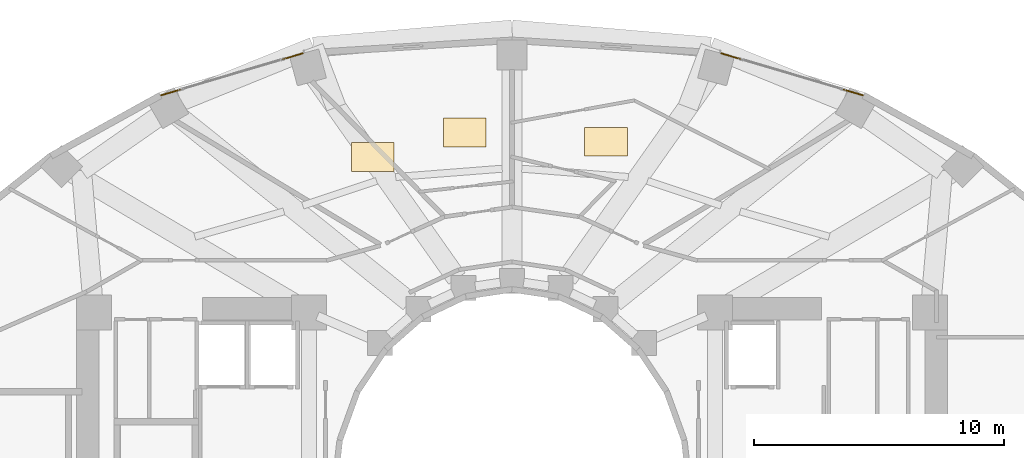
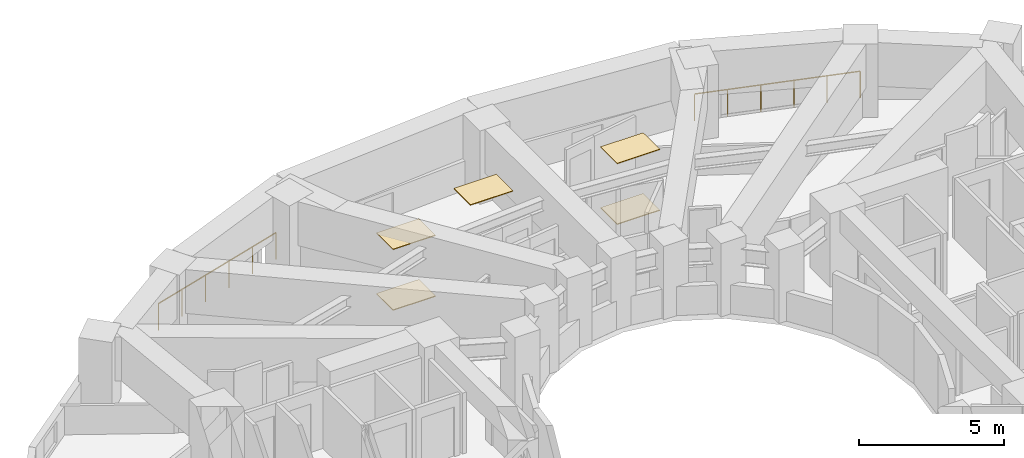
# One storey, part 16 of 16: 5 coverings, 2 railings.
"""IFC4 building model written with IfcOpenShell, lengths in metres."""

from ifc_helpers import new_model, si_unit, direction, frame, origin, origin_2d, place, context, subcontext, project, spatial, polyline, circle, outline, extrude, material, layer, layer_set, type_object, element, save


model = new_model("IFC4")

# Units and contexts
model_context = context("Model", 3, precision=1e-05, world=origin(), true_north=direction((0.0, 1.0)))
body_context = subcontext(model_context, "Body", "Model", "MODEL_VIEW")
ifc_project = project(units=[si_unit("LENGTHUNIT", "METRE"), si_unit("AREAUNIT", "SQUARE_METRE"), si_unit("VOLUMEUNIT", "CUBIC_METRE"), si_unit("PLANEANGLEUNIT", "RADIAN"), si_unit("MASSUNIT", "GRAM", prefix="KILO")], contexts=[model_context])

# Site, building, storey
site_placement = place(None, origin())
site = spatial("IfcSite", under=ifc_project, at=site_placement, CompositionType="ELEMENT")
building_placement = place(site_placement, origin())
building = spatial("IfcBuilding", under=site, at=building_placement, Name="Solvane Sanctuary Tower", CompositionType="ELEMENT")
storey_placement = place(building_placement, frame((0.0, 0.0, 61.699951171875)))
storey = spatial("IfcBuildingStorey", under=building, at=storey_placement, Name="L18", CompositionType="ELEMENT", Elevation=61.699951171875)

# Coverings
ifc_material_1 = material(Name="Acoustic Gypsum Partition Board")
ifc_layer_1 = layer(ifc_material_1, 0.02490234375, Name="Acoustic Gypsum Partition Board")
ifc_layer_set_1 = layer_set([ifc_layer_1], Name="Acoustic Gypsum Partition Board")
covering_type_1 = type_object("IfcCoveringType", Name="Covering CLG-ACOUST", PredefinedType="CEILING", material=ifc_layer_set_1)
covering_1_placement = place(storey_placement, frame((0.0, 0.0, 2.570068359375)))
element("IfcCovering", 1, at=covering_1_placement, inside=storey, type_object=covering_type_1, Name="L18 Unit Acoustic Ceiling Panel 1", PredefinedType="CEILING", context=body_context, shape_type="SweptSolid", body=[
    extrude(outline(polyline([(34.905029296875, 36.44091796875), (36.60498046875, 36.44091796875), (36.60498046875, 37.591064453125), (34.905029296875, 37.591064453125), (34.905029296875, 36.44091796875)])), origin(), (0.0, 0.0, 1.0), 0.030029296875),
])
covering_2_placement = place(storey_placement, frame((0.0, 0.0, 2.570068359375)))
element("IfcCovering", 2, at=covering_2_placement, inside=storey, type_object=covering_type_1, Name="L18 Unit Acoustic Ceiling Panel 2", PredefinedType="CEILING", context=body_context, shape_type="SweptSolid", body=[
    extrude(outline(polyline([(29.256103515625, 36.81103515625), (30.9560546875, 36.81103515625), (30.9560546875, 37.9609375), (29.256103515625, 37.9609375), (29.256103515625, 36.81103515625)])), origin(), (0.0, 0.0, 1.0), 0.030029296875),
])
covering_3_placement = place(storey_placement, frame((0.0, 0.0, 2.570068359375)))
element("IfcCovering", 3, at=covering_3_placement, inside=storey, type_object=covering_type_1, Name="L18 Unit Acoustic Ceiling Panel 3", PredefinedType="CEILING", context=body_context, shape_type="SweptSolid", body=[
    extrude(outline(polyline([(25.596923828125, 35.830078125), (27.297119140625, 35.830078125), (27.297119140625, 36.97998046875), (25.596923828125, 36.97998046875), (25.596923828125, 35.830078125)])), origin(), (0.0, 0.0, 1.0), 0.030029296875),
])
ifc_material_2 = material(Name="Ceramic Tile Finish")
ifc_layer_2 = layer(ifc_material_2, 0.030029296875, Name="Ceramic Tile Finish")
ifc_layer_set_2 = layer_set([ifc_layer_2], Name="Ceramic Tile Finish")
covering_type_2 = type_object("IfcCoveringType", Name="Covering FLR-TERRAZZO", PredefinedType="FLOORING", material=ifc_layer_set_2)
covering_4_placement = place(storey_placement, origin())
element("IfcCovering", 4, at=covering_4_placement, inside=storey, type_object=covering_type_2, Name="L18 Unit Terrazzo Inlay 1", PredefinedType="FLOORING", context=body_context, shape_type="SweptSolid", body=[
    extrude(outline(polyline([(34.905029296875, 36.44091796875), (36.60498046875, 36.44091796875), (36.60498046875, 37.591064453125), (34.905029296875, 37.591064453125), (34.905029296875, 36.44091796875)])), origin(), (0.0, 0.0, 1.0), 0.03515625),
])
covering_5_placement = place(storey_placement, origin())
element("IfcCovering", 5, at=covering_5_placement, inside=storey, type_object=covering_type_2, Name="L18 Unit Terrazzo Inlay 3", PredefinedType="FLOORING", context=body_context, shape_type="SweptSolid", body=[
    extrude(outline(polyline([(25.596923828125, 35.830078125), (27.297119140625, 35.830078125), (27.297119140625, 36.97998046875), (25.596923828125, 36.97998046875), (25.596923828125, 35.830078125)])), origin(), (0.0, 0.0, 1.0), 0.03515625),
])

# Railings
ifc_material_3 = material(Name="Architectural Stainless Steel 316", Category="steel")
railing_type = type_object("IfcRailingType", Name="Railing GR-BALC-1150", PredefinedType="BALUSTRADE", material=ifc_material_3)
railing_1_placement = place(storey_placement, frame((46.01318359375, 38.87060546875, 0.0)))
element("IfcRailing", 6, at=railing_1_placement, inside=storey, type_object=railing_type, Name="L18 Curtain-Wall Perimeter Sill Guard 04", PredefinedType="BALUSTRADE", context=body_context, shape_type="SweptSolid", body=[
    extrude(circle(Radius=0.02392578125, at=origin_2d()), frame((0.0, 0.0, 1.1259765625), z_axis=(-0.958844892166, 0.283930401274, 0.0), x_axis=(-0.283930401274, -0.958844892166, 0.0)), (0.0, 0.0, 1.0), 5.895263671875),
    extrude(circle(Radius=0.02099609375, at=origin_2d()), origin(), (0.0, 0.0, 1.0), 1.101806640625),
    extrude(circle(Radius=0.02099609375, at=origin_2d()), frame((-1.130615234375, 0.334716796875, 0.0)), (0.0, 0.0, 1.0), 1.101806640625),
    extrude(circle(Radius=0.02099609375, at=origin_2d()), frame((-2.260986328125, 0.66943359375, 0.0)), (0.0, 0.0, 1.0), 1.101806640625),
    extrude(circle(Radius=0.02099609375, at=origin_2d()), frame((-3.3916015625, 1.00439453125, 0.0)), (0.0, 0.0, 1.0), 1.101806640625),
    extrude(circle(Radius=0.02099609375, at=origin_2d()), frame((-4.52197265625, 1.339111328125, 0.0)), (0.0, 0.0, 1.0), 1.101806640625),
    extrude(circle(Radius=0.02099609375, at=origin_2d()), frame((-5.652587890625, 1.673828125, 0.0)), (0.0, 0.0, 1.0), 1.101806640625),
])
railing_2_placement = place(storey_placement, frame((23.639404296875, 40.54443359375, 0.0)))
element("IfcRailing", 7, at=railing_2_placement, inside=storey, type_object=railing_type, Name="L18 Curtain-Wall Perimeter Sill Guard 07", PredefinedType="BALUSTRADE", context=body_context, shape_type="SweptSolid", body=[
    extrude(circle(Radius=0.02392578125, at=origin_2d()), frame((0.0, 0.0, 1.1259765625), z_axis=(-0.958844892166, -0.283930401274, 0.0), x_axis=(0.283930401274, -0.958844892166, 0.0)), (0.0, 0.0, 1.0), 5.895263671875),
    extrude(circle(Radius=0.02099609375, at=origin_2d()), origin(), (0.0, 0.0, 1.0), 1.101806640625),
    extrude(circle(Radius=0.02099609375, at=origin_2d()), frame((-1.130615234375, -0.334716796875, 0.0)), (0.0, 0.0, 1.0), 1.101806640625),
    extrude(circle(Radius=0.02099609375, at=origin_2d()), frame((-2.260986328125, -0.66943359375, 0.0)), (0.0, 0.0, 1.0), 1.101806640625),
    extrude(circle(Radius=0.02099609375, at=origin_2d()), frame((-3.3916015625, -1.00439453125, 0.0)), (0.0, 0.0, 1.0), 1.101806640625),
    extrude(circle(Radius=0.02099609375, at=origin_2d()), frame((-4.52197265625, -1.339111328125, 0.0)), (0.0, 0.0, 1.0), 1.101806640625),
    extrude(circle(Radius=0.02099609375, at=origin_2d()), frame((-5.652587890625, -1.673828125, 0.0)), (0.0, 0.0, 1.0), 1.101806640625),
])

save(model, "model.ifc")
